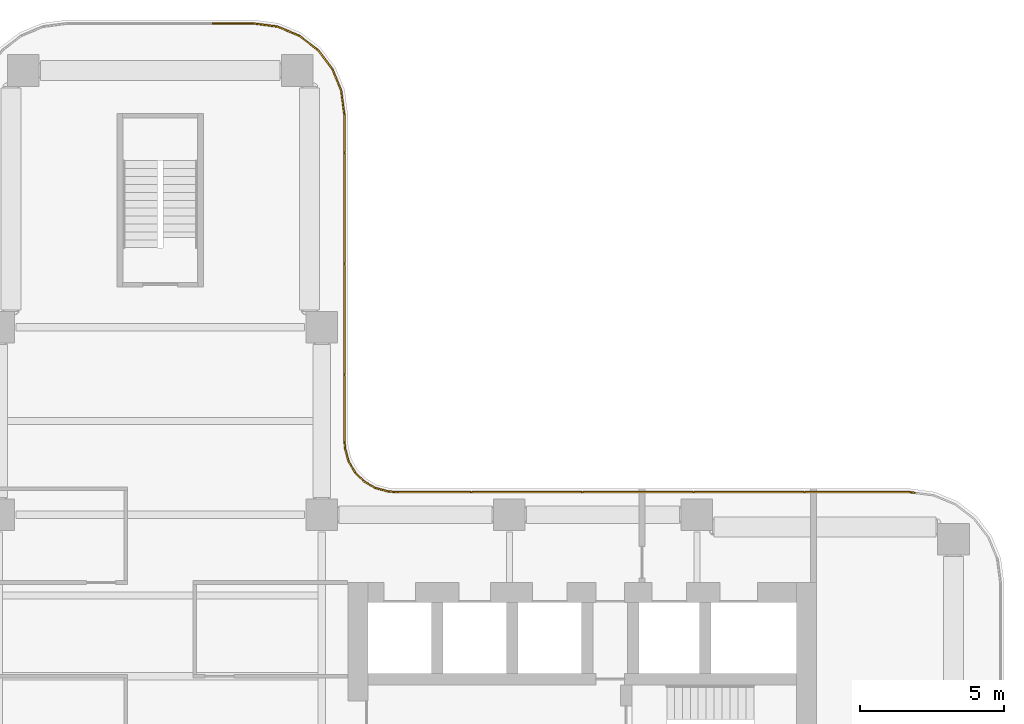
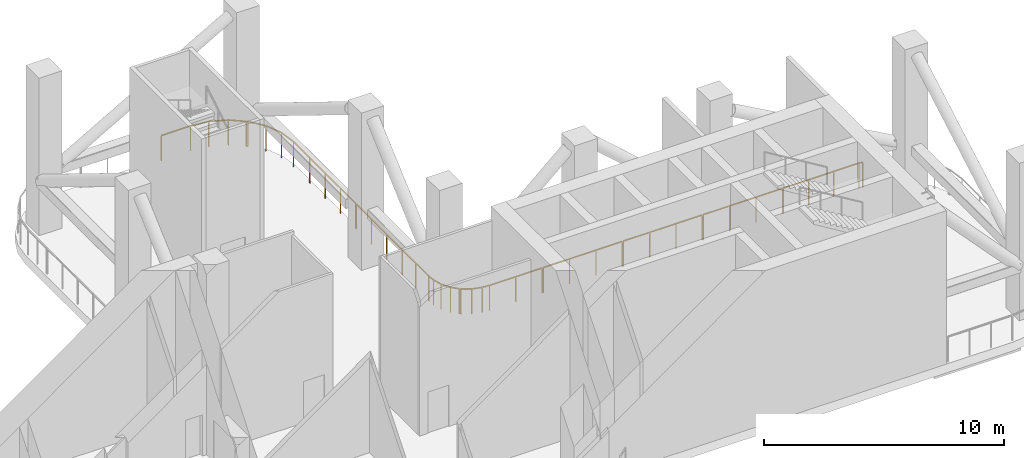
# One storey, part 11 of 11: 10 railings.
"""IFC4 building model written with IfcOpenShell, lengths in metres."""

from ifc_helpers import new_model, si_unit, direction, frame, origin, origin_2d, place, context, subcontext, project, spatial, rectangle, extrude, source, transform, mapped, material, type_object, element, save


model = new_model("IFC4")

# Units and contexts
model_context = context("Model", 3, precision=1e-05, world=origin(), true_north=direction((0.0, 1.0)))
body_context = subcontext(model_context, "Body", "Model", "MODEL_VIEW")
ifc_project = project(units=[si_unit("LENGTHUNIT", "METRE"), si_unit("AREAUNIT", "SQUARE_METRE"), si_unit("VOLUMEUNIT", "CUBIC_METRE"), si_unit("PLANEANGLEUNIT", "RADIAN"), si_unit("MASSUNIT", "GRAM", prefix="KILO")], contexts=[model_context])

# Site, building, storey
site_placement = place(None, origin())
site = spatial("IfcSite", under=ifc_project, at=site_placement, CompositionType="ELEMENT")
building_placement = place(site_placement, origin())
building = spatial("IfcBuilding", under=site, at=building_placement, Name="Trellis Farm Tower", CompositionType="ELEMENT")
storey_placement = place(building_placement, frame((0.0, 0.0, 212.699951171875)))
storey = spatial("IfcBuildingStorey", under=building, at=storey_placement, Name="L47", CompositionType="ELEMENT", Elevation=212.699951171875)

# Railings
ifc_material = material(Name="Stainless steel 316", Category="steel")
railing_type = type_object("IfcRailingType", Name="BALUSTRADE GUARD 1300", PredefinedType="GUARDRAIL", material=ifc_material)
railing_1_placement = place(storey_placement, frame((1.8310546875, 22.6298828125, 0.0)))
element("IfcRailing", 1, at=railing_1_placement, inside=storey, type_object=railing_type, Name="GD3 EDGE-7", PredefinedType="GUARDRAIL", context=body_context, shape_type="SweptSolid", body=[
    extrude(rectangle(XDim=0.050048828125, YDim=0.050048828125, at=origin_2d()), frame((0.0, 0.0, 1.27490234375), z_axis=(1.0, 0.0, 0.0), x_axis=(0.0, 1.0, 0.0)), (0.0, 0.0, 1.0), 1.4111328125),
    extrude(rectangle(XDim=0.050048828125, YDim=0.050048828125, at=origin_2d()), frame((1.4111328125, 0.0, 1.27490234375), z_axis=(0.991441191387, -0.130554065513, 0.0), x_axis=(0.130554065513, 0.991441191387, 0.0)), (0.0, 0.0, 1.0), 0.82470703125),
    extrude(rectangle(XDim=0.050048828125, YDim=0.050048828125, at=origin_2d()), frame((2.228759765625, -0.107666015625, 1.27490234375), z_axis=(0.923914838122, -0.382598185958, 0.0), x_axis=(0.382598185958, 0.923914838122, 0.0)), (0.0, 0.0, 1.0), 0.81689453125),
    extrude(rectangle(XDim=0.050048828125, YDim=0.050048828125, at=origin_2d()), frame((2.9833984375, -0.420166015625, 1.27490234375), z_axis=(0.793360431772, -0.608752187099, 0.0), x_axis=(0.608752187099, 0.793360431772, 0.0)), (0.0, 0.0, 1.0), 0.751220703125),
    extrude(rectangle(XDim=0.0400390625, YDim=0.0400390625, at=origin_2d()), origin(), (0.0, 0.0, 1.0), 1.25),
    extrude(rectangle(XDim=0.0400390625, YDim=0.0400390625, at=origin_2d()), frame((1.4111328125, 0.0, 0.0)), (0.0, 0.0, 1.0), 1.25),
    extrude(rectangle(XDim=0.0400390625, YDim=0.0400390625, at=origin_2d()), frame((2.228759765625, -0.107666015625, 0.0)), (0.0, 0.0, 1.0), 1.25),
    extrude(rectangle(XDim=0.0400390625, YDim=0.0400390625, at=origin_2d()), frame((2.9833984375, -0.420166015625, 0.0)), (0.0, 0.0, 1.0), 1.25),
    extrude(rectangle(XDim=0.0400390625, YDim=0.0400390625, at=origin_2d()), frame((3.579345703125, -0.87744140625, 0.0)), (0.0, 0.0, 1.0), 1.25),
])
railing_2_placement = place(storey_placement, frame((5.4462890625, 21.72509765625, 0.0)))
element("IfcRailing", 2, at=railing_2_placement, inside=storey, type_object=railing_type, Name="GD3 EDGE-8", PredefinedType="GUARDRAIL", context=body_context, shape_type="SweptSolid", body=[
    extrude(rectangle(XDim=0.050048828125, YDim=0.050048828125, at=origin_2d()), frame((0.0, 0.0, 1.27490234375), z_axis=(0.785491672228, -0.618872226604, 0.0), x_axis=(0.618872226604, 0.785491672228, 0.0)), (0.0, 0.0, 1.0), 0.0205078125),
    extrude(rectangle(XDim=0.050048828125, YDim=0.050048828125, at=origin_2d()), frame((0.01611328125, -0.0126953125, 1.27490234375), z_axis=(0.608858156099, -0.793279109615, 0.0), x_axis=(0.793279109615, 0.608858156099, 0.0)), (0.0, 0.0, 1.0), 0.81689453125),
    extrude(rectangle(XDim=0.050048828125, YDim=0.050048828125, at=origin_2d()), frame((0.513427734375, -0.66064453125, 1.27490234375), z_axis=(0.382598185958, -0.923914838122, 0.0), x_axis=(0.923914838122, 0.382598185958, 0.0)), (0.0, 0.0, 1.0), 0.81689453125),
    extrude(rectangle(XDim=0.050048828125, YDim=0.050048828125, at=origin_2d()), frame((0.825927734375, -1.415283203125, 1.27490234375), z_axis=(0.130554065513, -0.991441191387, 0.0), x_axis=(0.991441191387, 0.130554065513, 0.0)), (0.0, 0.0, 1.0), 0.82470703125),
    extrude(rectangle(XDim=0.050048828125, YDim=0.050048828125, at=origin_2d()), frame((0.93359375, -2.23291015625, 1.27490234375), z_axis=(0.0, -1.0, 0.0), x_axis=(1.0, 0.0, 0.0)), (0.0, 0.0, 1.0), 1.324951171875),
    extrude(rectangle(XDim=0.0400390625, YDim=0.0400390625, at=origin_2d()), origin(), (0.0, 0.0, 1.0), 1.25),
    extrude(rectangle(XDim=0.0400390625, YDim=0.0400390625, at=origin_2d()), frame((0.01611328125, -0.0126953125, 0.0)), (0.0, 0.0, 1.0), 1.25),
    extrude(rectangle(XDim=0.0400390625, YDim=0.0400390625, at=origin_2d()), frame((0.513427734375, -0.66064453125, 0.0)), (0.0, 0.0, 1.0), 1.25),
    extrude(rectangle(XDim=0.0400390625, YDim=0.0400390625, at=origin_2d()), frame((0.825927734375, -1.415283203125, 0.0)), (0.0, 0.0, 1.0), 1.25),
    extrude(rectangle(XDim=0.0400390625, YDim=0.0400390625, at=origin_2d()), frame((0.93359375, -2.23291015625, 0.0)), (0.0, 0.0, 1.0), 1.25),
    extrude(rectangle(XDim=0.0400390625, YDim=0.0400390625, at=origin_2d()), frame((0.93359375, -3.557861328125, 0.0)), (0.0, 0.0, 1.0), 1.25),
])
railing_3_placement = place(storey_placement, frame((6.3798828125, 10.4248046875, 0.0)))
element("IfcRailing", 3, at=railing_3_placement, inside=storey, type_object=railing_type, Name="GD3 EDGE-11", PredefinedType="GUARDRAIL", context=body_context, shape_type="SweptSolid", body=[
    extrude(rectangle(XDim=0.050048828125, YDim=0.050048828125, at=origin_2d()), frame((0.0, 0.0, 1.27490234375), z_axis=(0.0, -1.0, 0.0), x_axis=(1.0, 0.0, 0.0)), (0.0, 0.0, 1.0), 2.197265625),
    extrude(rectangle(XDim=0.050048828125, YDim=0.050048828125, at=origin_2d()), frame((0.0, -2.197265625, 1.27490234375), z_axis=(0.088443887633, -0.99608116072, 0.0), x_axis=(0.99608116072, 0.088443887633, 0.0)), (0.0, 0.0, 1.0), 0.336669921875),
    extrude(rectangle(XDim=0.050048828125, YDim=0.050048828125, at=origin_2d()), frame((0.02978515625, -2.53271484375, 1.27490234375), z_axis=(0.258891443638, -0.965906424252, 0.0), x_axis=(0.965906424252, 0.258891443638, 0.0)), (0.0, 0.0, 1.0), 0.445068359375),
    extrude(rectangle(XDim=0.050048828125, YDim=0.050048828125, at=origin_2d()), frame((0.14501953125, -2.962646484375, 1.27490234375), z_axis=(0.499971721724, -0.866041729639, 0.0), x_axis=(0.866041729639, 0.499971721724, 0.0)), (0.0, 0.0, 1.0), 0.4521484375),
    extrude(rectangle(XDim=0.050048828125, YDim=0.050048828125, at=origin_2d()), frame((0.37109375, -3.354248046875, 1.27490234375), z_axis=(0.707106781187, -0.707106781187, 0.0), x_axis=(0.707106781187, 0.707106781187, 0.0)), (0.0, 0.0, 1.0), 0.37255859375),
    extrude(rectangle(XDim=0.0400390625, YDim=0.0400390625, at=origin_2d()), origin(), (0.0, 0.0, 1.0), 1.25),
    extrude(rectangle(XDim=0.0400390625, YDim=0.0400390625, at=origin_2d()), frame((0.0, -1.0986328125, 0.0)), (0.0, 0.0, 1.0), 1.25),
    extrude(rectangle(XDim=0.0400390625, YDim=0.0400390625, at=origin_2d()), frame((0.0, -2.197265625, 0.0)), (0.0, 0.0, 1.0), 1.25),
    extrude(rectangle(XDim=0.0400390625, YDim=0.0400390625, at=origin_2d()), frame((0.02978515625, -2.53271484375, 0.0)), (0.0, 0.0, 1.0), 1.25),
    extrude(rectangle(XDim=0.0400390625, YDim=0.0400390625, at=origin_2d()), frame((0.14501953125, -2.962646484375, 0.0)), (0.0, 0.0, 1.0), 1.25),
    extrude(rectangle(XDim=0.0400390625, YDim=0.0400390625, at=origin_2d()), frame((0.37109375, -3.354248046875, 0.0)), (0.0, 0.0, 1.0), 1.25),
    extrude(rectangle(XDim=0.0400390625, YDim=0.0400390625, at=origin_2d()), frame((0.634521484375, -3.61767578125, 0.0)), (0.0, 0.0, 1.0), 1.25),
])
railing_4_placement = place(storey_placement, frame((7.046142578125, 6.775390625, 0.0)))
element("IfcRailing", 4, at=railing_4_placement, inside=storey, type_object=railing_type, Name="GD3 EDGE-12", PredefinedType="GUARDRAIL", context=body_context, shape_type="SweptSolid", body=[
    extrude(rectangle(XDim=0.050048828125, YDim=0.050048828125, at=origin_2d()), frame((0.0, 0.0, 1.27490234375), z_axis=(0.707106781187, -0.707106781187, 0.0), x_axis=(0.707106781187, 0.707106781187, 0.0)), (0.0, 0.0, 1.0), 0.034423828125),
    extrude(rectangle(XDim=0.050048828125, YDim=0.050048828125, at=origin_2d()), frame((0.0244140625, -0.0244140625, 1.27490234375), z_axis=(0.866041729639, -0.499971721724, 0.0), x_axis=(0.499971721724, 0.866041729639, 0.0)), (0.0, 0.0, 1.0), 0.4521484375),
    extrude(rectangle(XDim=0.050048828125, YDim=0.050048828125, at=origin_2d()), frame((0.416015625, -0.25048828125, 1.27490234375), z_axis=(0.965906424252, -0.258891443638, 0.0), x_axis=(0.258891443638, 0.965906424252, 0.0)), (0.0, 0.0, 1.0), 0.445068359375),
    extrude(rectangle(XDim=0.050048828125, YDim=0.050048828125, at=origin_2d()), frame((0.845947265625, -0.36572265625, 1.27490234375), z_axis=(0.99608116072, -0.088443887633, 0.0), x_axis=(0.088443887633, 0.99608116072, 0.0)), (0.0, 0.0, 1.0), 0.336669921875),
    extrude(rectangle(XDim=0.050048828125, YDim=0.050048828125, at=origin_2d()), frame((1.181396484375, -0.3955078125, 1.27490234375), z_axis=(1.0, 0.0, 0.0), x_axis=(0.0, 1.0, 0.0)), (0.0, 0.0, 1.0), 2.535400390625),
    extrude(rectangle(XDim=0.0400390625, YDim=0.0400390625, at=origin_2d()), origin(), (0.0, 0.0, 1.0), 1.25),
    extrude(rectangle(XDim=0.0400390625, YDim=0.0400390625, at=origin_2d()), frame((0.0244140625, -0.0244140625, 0.0)), (0.0, 0.0, 1.0), 1.25),
    extrude(rectangle(XDim=0.0400390625, YDim=0.0400390625, at=origin_2d()), frame((0.416015625, -0.25048828125, 0.0)), (0.0, 0.0, 1.0), 1.25),
    extrude(rectangle(XDim=0.0400390625, YDim=0.0400390625, at=origin_2d()), frame((0.845947265625, -0.36572265625, 0.0)), (0.0, 0.0, 1.0), 1.25),
    extrude(rectangle(XDim=0.0400390625, YDim=0.0400390625, at=origin_2d()), frame((1.181396484375, -0.3955078125, 0.0)), (0.0, 0.0, 1.0), 1.25),
    extrude(rectangle(XDim=0.0400390625, YDim=0.0400390625, at=origin_2d()), frame((2.44921875, -0.3955078125, 0.0)), (0.0, 0.0, 1.0), 1.25),
    extrude(rectangle(XDim=0.0400390625, YDim=0.0400390625, at=origin_2d()), frame((3.716796875, -0.3955078125, 0.0)), (0.0, 0.0, 1.0), 1.25),
])
railing_5_placement = place(storey_placement, frame((10.807861328125, 6.3798828125, 0.0)))
element("IfcRailing", 5, at=railing_5_placement, inside=storey, type_object=railing_type, Name="GD3 EDGE-13", PredefinedType="GUARDRAIL", context=body_context, shape_type="SweptSolid", body=[
    extrude(rectangle(XDim=0.050048828125, YDim=0.050048828125, at=origin_2d()), frame((0.0, 0.0, 1.27490234375), z_axis=(1.0, 0.0, 0.0), x_axis=(0.0, 1.0, 0.0)), (0.0, 0.0, 1.0), 3.803955078125),
    extrude(rectangle(XDim=0.0400390625, YDim=0.0400390625, at=origin_2d()), origin(), (0.0, 0.0, 1.0), 1.25),
    extrude(rectangle(XDim=0.0400390625, YDim=0.0400390625, at=origin_2d()), frame((1.26806640625, 0.0, 0.0)), (0.0, 0.0, 1.0), 1.25),
    extrude(rectangle(XDim=0.0400390625, YDim=0.0400390625, at=origin_2d()), frame((2.535888671875, 0.0, 0.0)), (0.0, 0.0, 1.0), 1.25),
    extrude(rectangle(XDim=0.0400390625, YDim=0.0400390625, at=origin_2d()), frame((3.803955078125, 0.0, 0.0)), (0.0, 0.0, 1.0), 1.25),
])
railing_6_placement = place(storey_placement, frame((22.354248046875, 6.3798828125, 0.0)))
element("IfcRailing", 6, at=railing_6_placement, inside=storey, type_object=railing_type, Name="GD3 EDGE-16", PredefinedType="GUARDRAIL", context=body_context, shape_type="SweptSolid", body=[
    extrude(rectangle(XDim=0.050048828125, YDim=0.050048828125, at=origin_2d()), frame((0.0, 0.0, 1.27490234375), z_axis=(1.0, 0.0, 0.0), x_axis=(0.0, 1.0, 0.0)), (0.0, 0.0, 1.0), 3.637939453125),
    extrude(rectangle(XDim=0.050048828125, YDim=0.050048828125, at=origin_2d()), frame((3.637939453125, 0.0, 1.27490234375), z_axis=(0.991583995852, -0.129464972752, 0.0), x_axis=(0.129464972752, 0.991583995852, 0.0)), (0.0, 0.0, 1.0), 0.166015625),
    extrude(rectangle(XDim=0.0400390625, YDim=0.0400390625, at=origin_2d()), origin(), (0.0, 0.0, 1.0), 1.25),
    extrude(rectangle(XDim=0.0400390625, YDim=0.0400390625, at=origin_2d()), frame((1.212646484375, 0.0, 0.0)), (0.0, 0.0, 1.0), 1.25),
    extrude(rectangle(XDim=0.0400390625, YDim=0.0400390625, at=origin_2d()), frame((2.42529296875, 0.0, 0.0)), (0.0, 0.0, 1.0), 1.25),
    extrude(rectangle(XDim=0.0400390625, YDim=0.0400390625, at=origin_2d()), frame((3.637939453125, 0.0, 0.0)), (0.0, 0.0, 1.0), 1.25),
    extrude(rectangle(XDim=0.0400390625, YDim=0.0400390625, at=origin_2d()), frame((3.802490234375, -0.021484375, 0.0)), (0.0, 0.0, 1.0), 1.25),
])
shared_shape_1 = source(origin(), body_context, "Body", "SweptSolid", [
    extrude(rectangle(XDim=0.050048828125, YDim=0.050048828125, at=origin_2d()), frame((0.0, 0.0, 1.27490234375), z_axis=(0.0, -1.0, 0.0), x_axis=(1.0, 0.0, 0.0)), (0.0, 0.0, 1.0), 3.8037109375),
    extrude(rectangle(XDim=0.0400390625, YDim=0.0400390625, at=origin_2d()), origin(), (0.0, 0.0, 1.0), 1.25),
    extrude(rectangle(XDim=0.0400390625, YDim=0.0400390625, at=origin_2d()), frame((0.0, -1.267822265625, 0.0)), (0.0, 0.0, 1.0), 1.25),
    extrude(rectangle(XDim=0.0400390625, YDim=0.0400390625, at=origin_2d()), frame((0.0, -2.535888671875, 0.0)), (0.0, 0.0, 1.0), 1.25),
    extrude(rectangle(XDim=0.0400390625, YDim=0.0400390625, at=origin_2d()), frame((0.0, -3.8037109375, 0.0)), (0.0, 0.0, 1.0), 1.25),
])
for number, where, name in (
    (7, (6.3798828125, 18.122314453125, 0.0), "GD3 EDGE-9"),
    (8, (6.3798828125, 14.2734375, 0.0), "GD3 EDGE-10"),
):
    element("IfcRailing", number, at=place(storey_placement, frame(where)), inside=storey, type_object=railing_type, Name=name, PredefinedType="GUARDRAIL", context=body_context, shape_type="MappedRepresentation", body=[
        mapped(shared_shape_1, transform((0.0, 0.0, 0.0))),
    ])
shared_shape_2 = source(origin(), body_context, "Body", "SweptSolid", [
    extrude(rectangle(XDim=0.050048828125, YDim=0.050048828125, at=origin_2d()), frame((0.0, 0.0, 1.27490234375), z_axis=(1.0, 0.0, 0.0), x_axis=(0.0, 1.0, 0.0)), (0.0, 0.0, 1.0), 3.8037109375),
    extrude(rectangle(XDim=0.0400390625, YDim=0.0400390625, at=origin_2d()), origin(), (0.0, 0.0, 1.0), 1.25),
    extrude(rectangle(XDim=0.0400390625, YDim=0.0400390625, at=origin_2d()), frame((1.267822265625, 0.0, 0.0)), (0.0, 0.0, 1.0), 1.25),
    extrude(rectangle(XDim=0.0400390625, YDim=0.0400390625, at=origin_2d()), frame((2.535888671875, 0.0, 0.0)), (0.0, 0.0, 1.0), 1.25),
    extrude(rectangle(XDim=0.0400390625, YDim=0.0400390625, at=origin_2d()), frame((3.8037109375, 0.0, 0.0)), (0.0, 0.0, 1.0), 1.25),
])
for number, where, name in (
    (9, (14.65673828125, 6.3798828125, 0.0), "GD3 EDGE-14"),
    (10, (18.505615234375, 6.3798828125, 0.0), "GD3 EDGE-15"),
):
    element("IfcRailing", number, at=place(storey_placement, frame(where)), inside=storey, type_object=railing_type, Name=name, PredefinedType="GUARDRAIL", context=body_context, shape_type="MappedRepresentation", body=[
        mapped(shared_shape_2, transform((0.0, 0.0, 0.0))),
    ])

save(model, "model.ifc")
